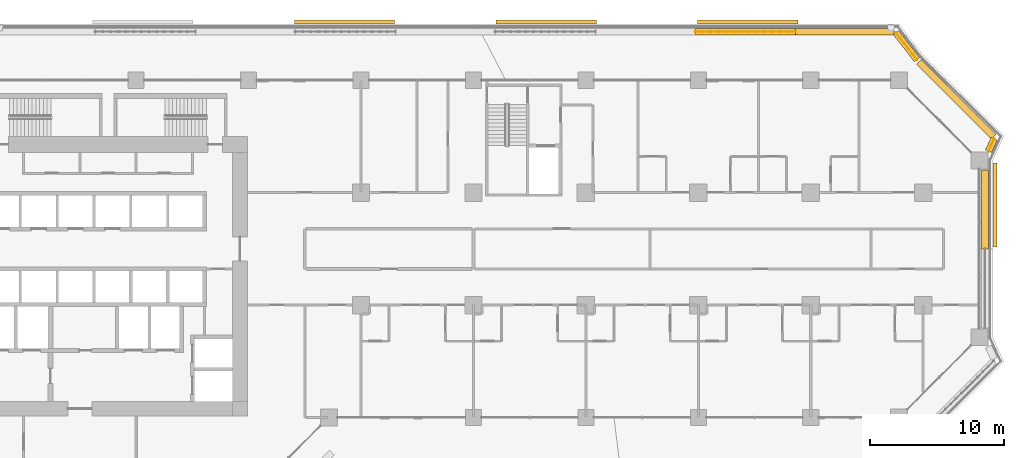
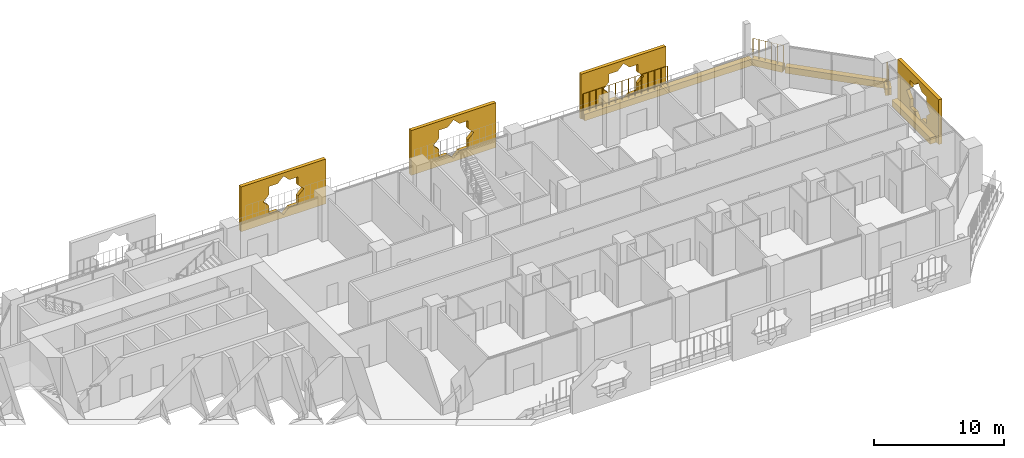
# One storey, part 29 of 29: 10 coverings, 3 railings.
"""IFC4 building model written with IfcOpenShell, lengths in metres."""

from ifc_helpers import new_model, si_unit, direction, frame, origin, origin_2d, place, context, subcontext, project, spatial, polyline, rectangle, circle, outline, extrude, material, material_profile, profile_set, type_object, element, save


model = new_model("IFC4")

# Units and contexts
model_context = context("Model", 3, precision=1e-05, world=origin(), true_north=direction((0.0, 1.0)))
body_context = subcontext(model_context, "Body", "Model", "MODEL_VIEW")
ifc_project = project(units=[si_unit("LENGTHUNIT", "METRE"), si_unit("AREAUNIT", "SQUARE_METRE"), si_unit("VOLUMEUNIT", "CUBIC_METRE"), si_unit("PLANEANGLEUNIT", "RADIAN"), si_unit("MASSUNIT", "GRAM", prefix="KILO")], contexts=[model_context])

# Site, building, storey
site_placement = place(None, origin())
site = spatial("IfcSite", under=ifc_project, at=site_placement, CompositionType="ELEMENT")
building_placement = place(site_placement, origin())
building = spatial("IfcBuilding", under=site, at=building_placement, Name="Kawkab Arch Medical Tower", CompositionType="ELEMENT")
storey_placement = place(building_placement, frame((0.0, 0.0, 60.199951171875)))
storey = spatial("IfcBuildingStorey", under=building, at=storey_placement, Name="L13", CompositionType="ELEMENT", Elevation=60.199951171875)

# Coverings
ifc_material_1 = material(Name="Bronze anodised aluminium mashrabiya panel, eight-point star pattern", Category="aluminium")
ifc_material_profile_1 = material_profile(ifc_material_1, outline(polyline([(-3.14990234375, -2.10009765625), (3.14990234375, -2.10009765625), (3.14990234375, 2.10009765625), (-3.14990234375, 2.10009765625), (-3.14990234375, -2.10009765625)]), holes=[polyline([(1.800048828125, 0.0), (1.272705078125, 0.527099609375), (1.272705078125, 1.272705078125), (0.527099609375, 1.272705078125), (0.0, 1.800048828125), (-0.527099609375, 1.272705078125), (-1.272705078125, 1.272705078125), (-1.272705078125, 0.527099609375), (-1.800048828125, 0.0), (-1.272705078125, -0.527099609375), (-1.272705078125, -1.272705078125), (-0.527099609375, -1.272705078125), (0.0, -1.800048828125), (0.527099609375, -1.272705078125), (1.272705078125, -1.272705078125), (1.272705078125, -0.527099609375), (1.800048828125, 0.0)])]), Name="Mashrabiya panel 6300x4200")
ifc_profile_set_1 = profile_set([ifc_material_profile_1], Name="Bronze anodised aluminium mashrabiya panel, eight-point star pattern")
covering_type_1 = type_object("IfcCoveringType", Name="Mashrabiya panel 6300 x 4200", PredefinedType="USERDEFINED", material=ifc_profile_set_1)
covering_1_placement = place(storey_placement, frame((80.800048828125, -9.31884765625, 1.699951171875), z_axis=(1.0, 0.0, 0.0), x_axis=(0.0, 1.0, 0.0)))
element("IfcCovering", 1, at=covering_1_placement, inside=storey, type_object=covering_type_1, Name="Mashrabiya panel L13.LOG-01-01.10", ObjectType="SCREEN", PredefinedType="USERDEFINED", context=body_context, shape_type="SweptSolid", body=[
    extrude(outline(polyline([(-3.14990234375, -2.10009765625), (3.14990234375, -2.10009765625), (3.14990234375, 2.10009765625), (-3.14990234375, 2.10009765625), (-3.14990234375, -2.10009765625)]), holes=[polyline([(1.800048828125, 0.0), (1.272705078125, 0.527099609375), (1.272705078125, 1.272705078125), (0.527099609375, 1.272705078125), (0.0, 1.800048828125), (-0.527099609375, 1.272705078125), (-1.272705078125, 1.272705078125), (-1.272705078125, 0.527099609375), (-1.800048828125, 0.0), (-1.272705078125, -0.527099609375), (-1.272705078125, -1.272705078125), (-0.527099609375, -1.272705078125), (0.0, -1.800048828125), (0.527099609375, -1.272705078125), (1.272705078125, -1.272705078125), (1.272705078125, -0.527099609375), (1.800048828125, 0.0)])]), origin(), (0.0, 0.0, 1.0), 0.300048828125),
])
ifc_material_2 = material(Name="Bronze anodised aluminium mashrabiya panel, eight-point star pattern", Category="aluminium")
ifc_material_profile_2 = material_profile(ifc_material_2, outline(polyline([(-3.75, -2.10009765625), (3.75, -2.10009765625), (3.75, 2.10009765625), (-3.75, 2.10009765625), (-3.75, -2.10009765625)]), holes=[polyline([(1.800048828125, 0.0), (1.272705078125, 0.527099609375), (1.272705078125, 1.272705078125), (0.527099609375, 1.272705078125), (0.0, 1.800048828125), (-0.527099609375, 1.272705078125), (-1.272705078125, 1.272705078125), (-1.272705078125, 0.527099609375), (-1.800048828125, 0.0), (-1.272705078125, -0.527099609375), (-1.272705078125, -1.272705078125), (-0.527099609375, -1.272705078125), (0.0, -1.800048828125), (0.527099609375, -1.272705078125), (1.272705078125, -1.272705078125), (1.272705078125, -0.527099609375), (1.800048828125, 0.0)])]), Name="Mashrabiya panel 7500x4200")
ifc_profile_set_2 = profile_set([ifc_material_profile_2], Name="Bronze anodised aluminium mashrabiya panel, eight-point star pattern")
covering_type_2 = type_object("IfcCoveringType", Name="Mashrabiya panel 7500 x 4200", PredefinedType="USERDEFINED", material=ifc_profile_set_2)
for number, where, z_axis, x_axis, name in (
    (2, (32.367919921875, 4.199951171875, 1.699951171875), (0.0, 1.0, 0.0), (-1.0, 0.0, 0.0), "Mashrabiya panel L13.LOG-01-01.7"),
    (3, (47.43212890625, 4.199951171875, 1.699951171875), (0.0, 1.0, 0.0), (-1.0, 0.0, 0.0), "Mashrabiya panel L13.LOG-01-01.8"),
    (4, (62.49658203125, 4.199951171875, 1.699951171875), (0.0, 1.0, 0.0), (-1.0, 0.0, 0.0), "Mashrabiya panel L13.LOG-01-01.9"),
):
    element("IfcCovering", number, at=place(storey_placement, frame(where, z_axis=z_axis, x_axis=x_axis)), inside=storey, type_object=covering_type_2, Name=name, ObjectType="SCREEN", PredefinedType="USERDEFINED", context=body_context, shape_type="SweptSolid", body=[
        extrude(outline(polyline([(-3.75, -2.10009765625), (3.75, -2.10009765625), (3.75, 2.10009765625), (-3.75, 2.10009765625), (-3.75, -2.10009765625)]), holes=[polyline([(1.800048828125, 0.0), (1.272705078125, 0.527099609375), (1.272705078125, 1.272705078125), (0.527099609375, 1.272705078125), (0.0, 1.800048828125), (-0.527099609375, 1.272705078125), (-1.272705078125, 1.272705078125), (-1.272705078125, 0.527099609375), (-1.800048828125, 0.0), (-1.272705078125, -0.527099609375), (-1.272705078125, -1.272705078125), (-0.527099609375, -1.272705078125), (0.0, -1.800048828125), (0.527099609375, -1.272705078125), (1.272705078125, -1.272705078125), (1.272705078125, -0.527099609375), (1.800048828125, 0.0)])]), origin(), (0.0, 0.0, 1.0), 0.300048828125),
    ])
ifc_material_3 = material(Name="Planting soil in a precast trough", Category="concrete")
ifc_material_profile_3 = material_profile(ifc_material_3, rectangle(XDim=0.5, YDim=0.60009765625, at=origin_2d()), Name="Trough 500x600")
ifc_profile_set_3 = profile_set([ifc_material_profile_3], Name="Planting soil in a precast trough")
covering_type_3 = type_object("IfcCoveringType", Name="Planter trough 500 x 600", PredefinedType="USERDEFINED", material=ifc_profile_set_3)
covering_2_placement = place(storey_placement, frame((58.575927734375, 3.6201171875, 0.300048828125), z_axis=(1.0, 0.0, 0.0), x_axis=(0.0, 1.0, 0.0)))
element("IfcCovering", 5, at=covering_2_placement, inside=storey, type_object=covering_type_3, Name="Planter L13.LOG-01-01.27", ObjectType="PLANTER", PredefinedType="USERDEFINED", context=body_context, shape_type="SweptSolid", body=[
    extrude(rectangle(XDim=0.5, YDim=0.60009765625, at=origin_2d()), origin(), (0.0, 0.0, 1.0), 7.469970703125),
])
covering_3_placement = place(storey_placement, frame((66.0458984375, 3.6201171875, 0.300048828125), z_axis=(1.0, 0.0, 0.0), x_axis=(0.0, 1.0, 0.0)))
element("IfcCovering", 6, at=covering_3_placement, inside=storey, type_object=covering_type_3, Name="Planter L13.LOG-01-01.28", ObjectType="PLANTER", PredefinedType="USERDEFINED", context=body_context, shape_type="SweptSolid", body=[
    extrude(rectangle(XDim=0.5, YDim=0.60009765625, at=origin_2d()), origin(), (0.0, 0.0, 1.0), 7.3701171875),
])
covering_4_placement = place(storey_placement, frame((73.577880859375, 3.541015625, 0.300048828125), z_axis=(0.614099956103, -0.789228258436, 0.0), x_axis=(0.789228258436, 0.614099956103, 0.0)))
element("IfcCovering", 7, at=covering_4_placement, inside=storey, type_object=covering_type_3, Name="Planter L13.LOG-01-01.29", ObjectType="PLANTER", PredefinedType="USERDEFINED", context=body_context, shape_type="SweptSolid", body=[
    extrude(rectangle(XDim=0.5, YDim=0.60009765625, at=origin_2d()), origin(), (0.0, 0.0, 1.0), 2.545654296875),
])
covering_5_placement = place(storey_placement, frame((75.27294921875, 1.383056640625, 0.300048828125), z_axis=(0.707106781187, -0.707106781187, 0.0), x_axis=(0.707106781187, 0.707106781187, 0.0)))
element("IfcCovering", 8, at=covering_5_placement, inside=storey, type_object=covering_type_3, Name="Planter L13.LOG-01-01.30", ObjectType="PLANTER", PredefinedType="USERDEFINED", context=body_context, shape_type="SweptSolid", body=[
    extrude(rectangle(XDim=0.5, YDim=0.60009765625, at=origin_2d()), origin(), (0.0, 0.0, 1.0), 7.919677734375),
])
covering_6_placement = place(storey_placement, frame((80.902099609375, -4.37890625, 0.300048828125), z_axis=(-0.415071571878, -0.909788761317, 0.0), x_axis=(0.909788761317, -0.415071571878, 0.0)))
element("IfcCovering", 9, at=covering_6_placement, inside=storey, type_object=covering_type_3, Name="Planter L13.LOG-01-01.31", ObjectType="PLANTER", PredefinedType="USERDEFINED", context=body_context, shape_type="SweptSolid", body=[
    extrude(rectangle(XDim=0.5, YDim=0.60009765625, at=origin_2d()), origin(), (0.0, 0.0, 1.0), 1.0146484375),
])
covering_7_placement = place(storey_placement, frame((80.219970703125, -6.705078125, 0.300048828125), z_axis=(0.0, -1.0, 0.0), x_axis=(1.0, 0.0, 0.0)))
element("IfcCovering", 10, at=covering_7_placement, inside=storey, type_object=covering_type_3, Name="Planter L13.LOG-01-01.32", ObjectType="PLANTER", PredefinedType="USERDEFINED", context=body_context, shape_type="SweptSolid", body=[
    extrude(rectangle(XDim=0.5, YDim=0.60009765625, at=origin_2d()), origin(), (0.0, 0.0, 1.0), 5.89501953125),
])

# Railings
ifc_material_4 = material(Name="Bronze anodised aluminium trellis for climbing plants", Category="aluminium")
railing_type = type_object("IfcRailingType", Name="Planting trellis 2400", PredefinedType="USERDEFINED", material=ifc_material_4)
railing_1_placement = place(storey_placement, frame((58.575927734375, 3.6201171875, 0.0)))
element("IfcRailing", 11, at=railing_1_placement, inside=storey, type_object=railing_type, Name="Planting trellis L13.LOG-01-01.27", ObjectType="TRELLIS", PredefinedType="USERDEFINED", context=body_context, shape_type="SweptSolid", body=[
    extrude(circle(Radius=0.01513671875, at=origin_2d()), frame((0.0, 0.0, 2.384765625), z_axis=(1.0, 0.0, 0.0), x_axis=(0.0, 1.0, 0.0)), (0.0, 0.0, 1.0), 7.469970703125),
    extrude(circle(Radius=0.030029296875, at=origin_2d()), origin(), (0.0, 0.0, 1.0), 2.369873046875),
    extrude(circle(Radius=0.030029296875, at=origin_2d()), frame((0.57470703125, 0.0, 0.0)), (0.0, 0.0, 1.0), 2.369873046875),
    extrude(circle(Radius=0.030029296875, at=origin_2d()), frame((1.149169921875, 0.0, 0.0)), (0.0, 0.0, 1.0), 2.369873046875),
    extrude(circle(Radius=0.030029296875, at=origin_2d()), frame((1.723876953125, 0.0, 0.0)), (0.0, 0.0, 1.0), 2.369873046875),
    extrude(circle(Radius=0.030029296875, at=origin_2d()), frame((2.29833984375, 0.0, 0.0)), (0.0, 0.0, 1.0), 2.369873046875),
    extrude(circle(Radius=0.030029296875, at=origin_2d()), frame((2.873046875, 0.0, 0.0)), (0.0, 0.0, 1.0), 2.369873046875),
    extrude(circle(Radius=0.030029296875, at=origin_2d()), frame((3.44775390625, 0.0, 0.0)), (0.0, 0.0, 1.0), 2.369873046875),
    extrude(circle(Radius=0.030029296875, at=origin_2d()), frame((4.022216796875, 0.0, 0.0)), (0.0, 0.0, 1.0), 2.369873046875),
    extrude(circle(Radius=0.030029296875, at=origin_2d()), frame((4.596923828125, 0.0, 0.0)), (0.0, 0.0, 1.0), 2.369873046875),
    extrude(circle(Radius=0.030029296875, at=origin_2d()), frame((5.171630859375, 0.0, 0.0)), (0.0, 0.0, 1.0), 2.369873046875),
    extrude(circle(Radius=0.030029296875, at=origin_2d()), frame((5.74609375, 0.0, 0.0)), (0.0, 0.0, 1.0), 2.369873046875),
    extrude(circle(Radius=0.030029296875, at=origin_2d()), frame((6.32080078125, 0.0, 0.0)), (0.0, 0.0, 1.0), 2.369873046875),
    extrude(circle(Radius=0.030029296875, at=origin_2d()), frame((6.895263671875, 0.0, 0.0)), (0.0, 0.0, 1.0), 2.369873046875),
    extrude(circle(Radius=0.030029296875, at=origin_2d()), frame((7.469970703125, 0.0, 0.0)), (0.0, 0.0, 1.0), 2.369873046875),
])
railing_2_placement = place(storey_placement, frame((73.577880859375, 3.541015625, 0.0)))
element("IfcRailing", 12, at=railing_2_placement, inside=storey, type_object=railing_type, Name="Planting trellis L13.LOG-01-01.29", ObjectType="TRELLIS", PredefinedType="USERDEFINED", context=body_context, shape_type="SweptSolid", body=[
    extrude(circle(Radius=0.01513671875, at=origin_2d()), frame((0.0, 0.0, 2.384765625), z_axis=(0.614099956103, -0.789228258436, 0.0), x_axis=(0.789228258436, 0.614099956103, 0.0)), (0.0, 0.0, 1.0), 2.545654296875),
    extrude(circle(Radius=0.030029296875, at=origin_2d()), origin(), (0.0, 0.0, 1.0), 2.369873046875),
    extrude(circle(Radius=0.030029296875, at=origin_2d()), frame((0.312744140625, -0.40185546875, 0.0)), (0.0, 0.0, 1.0), 2.369873046875),
    extrude(circle(Radius=0.030029296875, at=origin_2d()), frame((0.625244140625, -0.8037109375, 0.0)), (0.0, 0.0, 1.0), 2.369873046875),
    extrude(circle(Radius=0.030029296875, at=origin_2d()), frame((0.93798828125, -1.205322265625, 0.0)), (0.0, 0.0, 1.0), 2.369873046875),
    extrude(circle(Radius=0.030029296875, at=origin_2d()), frame((1.25048828125, -1.607177734375, 0.0)), (0.0, 0.0, 1.0), 2.369873046875),
    extrude(circle(Radius=0.030029296875, at=origin_2d()), frame((1.563232421875, -2.009033203125, 0.0)), (0.0, 0.0, 1.0), 2.369873046875),
])
railing_3_placement = place(storey_placement, frame((80.902099609375, -4.37890625, 0.0)))
element("IfcRailing", 13, at=railing_3_placement, inside=storey, type_object=railing_type, Name="Planting trellis L13.LOG-01-01.31", ObjectType="TRELLIS", PredefinedType="USERDEFINED", context=body_context, shape_type="SweptSolid", body=[
    extrude(circle(Radius=0.01513671875, at=origin_2d()), frame((0.0, 0.0, 2.384765625), z_axis=(-0.415071571878, -0.909788761317, 0.0), x_axis=(0.909788761317, -0.415071571878, 0.0)), (0.0, 0.0, 1.0), 1.0146484375),
    extrude(circle(Radius=0.030029296875, at=origin_2d()), origin(), (0.0, 0.0, 1.0), 2.369873046875),
    extrude(circle(Radius=0.030029296875, at=origin_2d()), frame((-0.21044921875, -0.46142578125, 0.0)), (0.0, 0.0, 1.0), 2.369873046875),
    extrude(circle(Radius=0.030029296875, at=origin_2d()), frame((-0.421142578125, -0.923095703125, 0.0)), (0.0, 0.0, 1.0), 2.369873046875),
])

save(model, "model.ifc")
